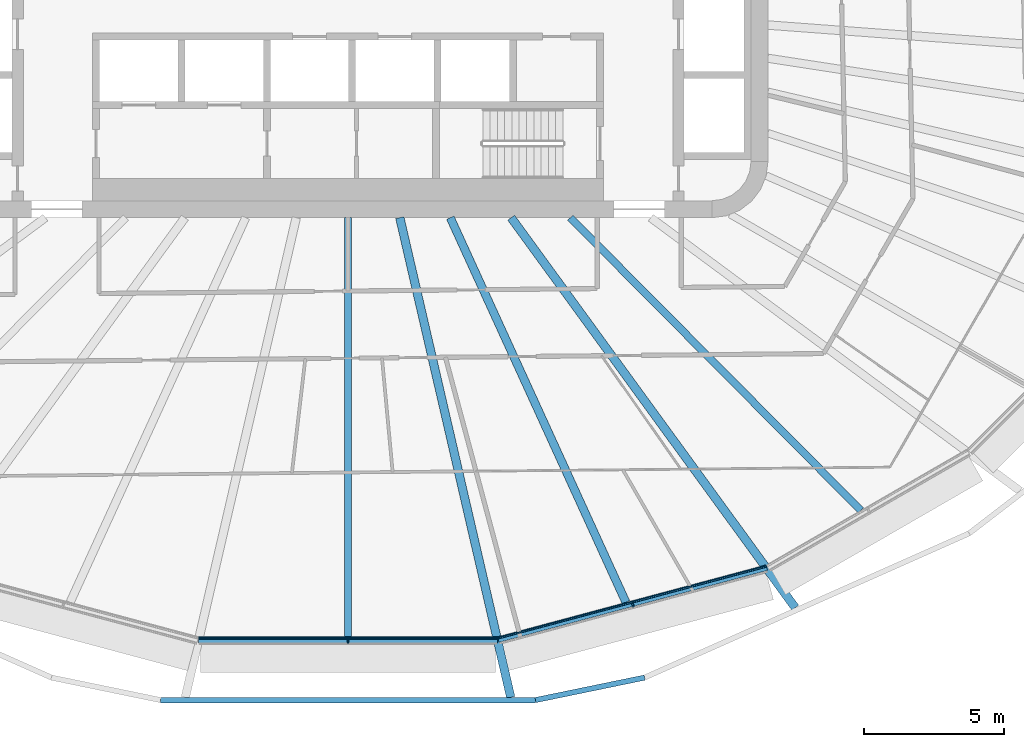
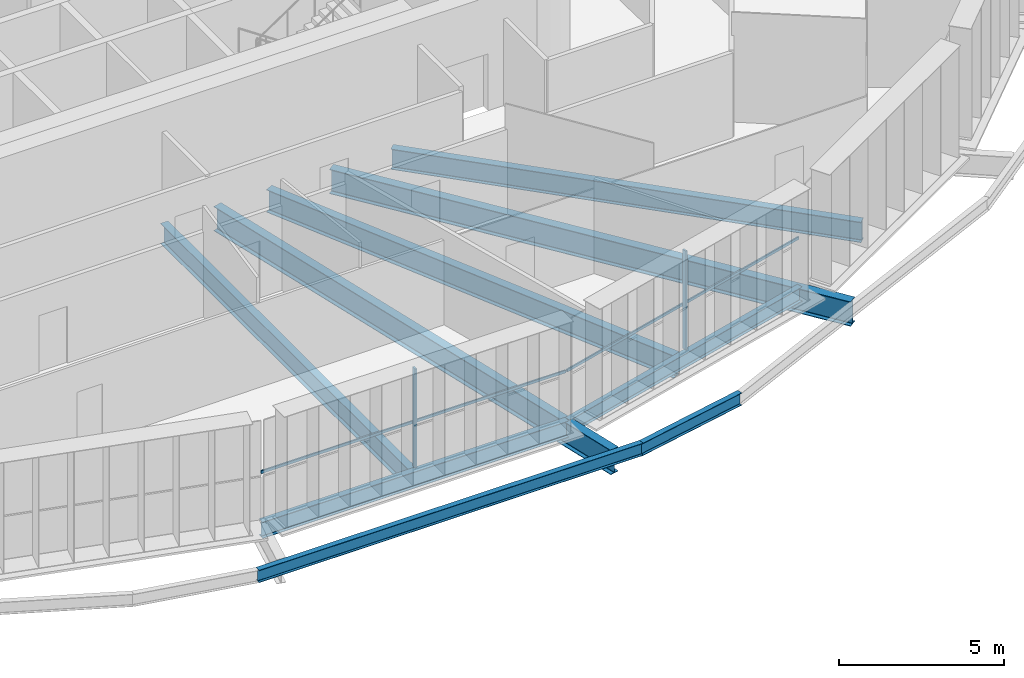
# One storey, part 4 of 24: 9 beams, 4 members, 2 elements without a shape of their own.
"""IFC4 building model written with IfcOpenShell, lengths in metres."""

from ifc_helpers import new_model, si_unit, direction, frame, origin, origin_2d, place, context, subcontext, project, spatial, rectangle, i_section, extrude, material, layer, layer_set, material_profile, profile_set, type_object, element, aggregate, save


model = new_model("IFC4")

# Units and contexts
model_context = context("Model", 3, precision=1e-05, world=origin(), true_north=direction((0.0, 1.0)))
body_context = subcontext(model_context, "Body", "Model", "MODEL_VIEW")
ifc_project = project(units=[si_unit("LENGTHUNIT", "METRE"), si_unit("AREAUNIT", "SQUARE_METRE"), si_unit("VOLUMEUNIT", "CUBIC_METRE"), si_unit("PLANEANGLEUNIT", "RADIAN"), si_unit("MASSUNIT", "GRAM", prefix="KILO")], contexts=[model_context])

# Site, building, storey
site_placement = place(None, origin())
site = spatial("IfcSite", under=ifc_project, at=site_placement, CompositionType="ELEMENT")
building_placement = place(site_placement, origin())
building = spatial("IfcBuilding", under=site, at=building_placement, Name="Sahrelin Media Tower", CompositionType="ELEMENT")
storey_placement = place(building_placement, frame((0.0, 0.0, 67.199951171875)))
storey = spatial("IfcBuildingStorey", under=building, at=storey_placement, Name="L11", CompositionType="ELEMENT", Elevation=67.199951171875)

# Beams
ifc_material_1 = material(Name="Steel S355", Category="steel")
ifc_material_profile_1 = material_profile(ifc_material_1, i_section(OverallWidth=0.208740234375, OverallDepth=0.5283203125, WebThickness=0.009521484375, FlangeThickness=0.01318359375, FilletRadius=0.0126953125, at=origin_2d()), Name="UB 533x210x82")
ifc_profile_set_1 = profile_set([ifc_material_profile_1], Name="Steel S355")
beam_type_1 = type_object("IfcBeamType", Name="Edge beam EB6", PredefinedType="BEAM", material=ifc_profile_set_1)
beam_1_placement = place(storey_placement, frame((14.958740234375, -20.498779296875, -0.4140625), z_axis=(-0.965929509631, -0.25880529829, 0.0), x_axis=(0.25880529829, -0.965929509631, 0.0)))
element("IfcBeam", 1, at=beam_1_placement, inside=storey, type_object=beam_type_1, Name="Edge beam L11-06", PredefinedType="BEAM", context=body_context, shape_type="SweptSolid", body=[
    extrude(i_section(OverallWidth=0.208740234375, OverallDepth=0.5283203125, WebThickness=0.009521484375, FlangeThickness=0.01318359375, FilletRadius=0.0126953125, at=origin_2d()), origin(), (0.0, 0.0, 1.0), 9.932373046875),
])
ifc_material_profile_2 = material_profile(ifc_material_1, i_section(OverallWidth=0.2275390625, OverallDepth=0.6025390625, WebThickness=0.010498046875, FlangeThickness=0.014892578125, FilletRadius=0.0126953125, at=origin_2d()), Name="UB 610x229x101")
ifc_profile_set_2 = profile_set([ifc_material_profile_2], Name="Steel S355")
beam_type_2 = type_object("IfcBeamType", Name="Edge beam EB7", PredefinedType="BEAM", material=ifc_profile_set_2)
beam_2_placement = place(storey_placement, frame((5.336181640625, -23.0732421875, -0.451171875), z_axis=(-1.0, 0.0, 0.0), x_axis=(0.0, -1.0, 0.0)))
element("IfcBeam", 2, at=beam_2_placement, inside=storey, type_object=beam_type_2, Name="Edge beam L11-07", PredefinedType="BEAM", context=body_context, shape_type="SweptSolid", body=[
    extrude(i_section(OverallWidth=0.2275390625, OverallDepth=0.6025390625, WebThickness=0.010498046875, FlangeThickness=0.014892578125, FilletRadius=0.0126953125, at=origin_2d()), origin(), (0.0, 0.0, 1.0), 10.67236328125),
])

# Curtain wall, member
ifc_material_2 = material(Name="Champagne anodised aluminium 6063-T6", Category="aluminium")
ifc_layer = layer(ifc_material_2, 0.14990234375)
ifc_layer_set = layer_set([ifc_layer], Name="Tower ribbon curtain wall")
curtain_wall_type = type_object("IfcCurtainWallType", Name="Tower ribbon curtain wall", PredefinedType="NOTDEFINED", material=ifc_layer_set)
curtain_wall_1_placement = place(storey_placement, frame((0.0, -23.22314453125, 0.0), z_axis=(0.0, 0.0, 1.0), x_axis=(1.0, 0.0, 0.0)))
curtain_wall_1 = element("IfcCurtainWall", 3, at=curtain_wall_1_placement, inside=storey, type_object=curtain_wall_type, Name="L11:CW:L11-18", PredefinedType="NOTDEFINED")
ifc_material_profile_3 = material_profile(ifc_material_2, rectangle(XDim=0.06005859375, YDim=0.14990234375, at=origin_2d()), Name="Mullion 60x150")
ifc_profile_set_3 = profile_set([ifc_material_profile_3], Name="Champagne anodised aluminium 6063-T6")
member_type_1 = type_object("IfcMemberType", Name="Mullion 60x150 CW1", PredefinedType="MULLION", material=ifc_profile_set_3)
member_1_placement = place(storey_placement, frame((0.0, -23.128173828125, 0.0), z_axis=(0.0, 0.0, 1.0), x_axis=(1.0, 0.0, 0.0)))
member_1 = element("IfcMember", 4, at=member_1_placement, type_object=member_type_1, Name="L11:CWM:L11-18", PredefinedType="MULLION", context=body_context, shape_type="SweptSolid", body=[
    extrude(rectangle(XDim=0.06005859375, YDim=0.14990234375, at=origin_2d()), origin(), (0.0, 0.0, 1.0), 3.648681640625),
])

curtain_wall_2_placement = place(storey_placement, frame((10.200439453125, -21.928955078125, 0.0), z_axis=(0.0, 0.0, 1.0), x_axis=(1.0, 0.0, 0.0)))
curtain_wall_2 = element("IfcCurtainWall", 5, at=curtain_wall_2_placement, inside=storey, type_object=curtain_wall_type, Name="L11:CW:L11-19", PredefinedType="NOTDEFINED")
member_2_placement = place(storey_placement, frame((10.17578125, -21.837158203125, 0.0), z_axis=(0.0, 0.0, 1.0), x_axis=(0.965926729732, 0.258815673384, 0.0)))
member_2 = element("IfcMember", 6, at=member_2_placement, type_object=member_type_1, Name="L11:CWM:L11-19", PredefinedType="MULLION", context=body_context, shape_type="SweptSolid", body=[
    extrude(rectangle(XDim=0.06005859375, YDim=0.14990234375, at=origin_2d()), origin(), (0.0, 0.0, 1.0), 3.648681640625),
])

# Beams
ifc_material_profile_4 = material_profile(ifc_material_1, i_section(OverallWidth=0.30322265625, OverallDepth=0.903076171875, WebThickness=0.01513671875, FlangeThickness=0.020263671875, FilletRadius=0.01904296875, at=origin_2d()), Name="UB 914x305x201")
ifc_profile_set_4 = profile_set([ifc_material_profile_4], Name="Steel S355")
beam_type_3 = type_object("IfcBeamType", Name="Radial primary beam PB11", PredefinedType="BEAM", material=ifc_profile_set_4)
beam_3_placement = place(storey_placement, frame((1.85009765625, -8.0, -0.6015625), z_axis=(0.22529943157, -0.974289569961, 0.0), x_axis=(0.974289569961, 0.22529943157, 0.0)))
element("IfcBeam", 7, at=beam_3_placement, inside=storey, type_object=beam_type_3, Name="Radial beam L11-19", PredefinedType="BEAM", context=body_context, shape_type="SweptSolid", body=[
    extrude(i_section(OverallWidth=0.30322265625, OverallDepth=0.903076171875, WebThickness=0.01513671875, FlangeThickness=0.020263671875, FilletRadius=0.01904296875, at=origin_2d()), origin(), (0.0, 0.0, 1.0), 17.58935546875),
])
beam_4_placement = place(storey_placement, frame((5.827392578125, -8.0, -0.6015625), z_axis=(0.588761918739, -0.808306503155, 0.0), x_axis=(0.808306503155, 0.588761918739, 0.0)))
element("IfcBeam", 8, at=beam_4_placement, inside=storey, type_object=beam_type_3, Name="Radial beam L11-20", PredefinedType="BEAM", context=body_context, shape_type="SweptSolid", body=[
    extrude(i_section(OverallWidth=0.30322265625, OverallDepth=0.903076171875, WebThickness=0.01513671875, FlangeThickness=0.020263671875, FilletRadius=0.01904296875, at=origin_2d()), origin(), (0.0, 0.0, 1.0), 17.236572265625),
])
ifc_material_profile_5 = material_profile(ifc_material_1, i_section(OverallWidth=0.291748046875, OverallDepth=0.8349609375, WebThickness=0.013916015625, FlangeThickness=0.018798828125, FilletRadius=0.017822265625, at=origin_2d()), Name="UB 838x292x176")
ifc_profile_set_5 = profile_set([ifc_material_profile_5], Name="Steel S355")
beam_type_4 = type_object("IfcBeamType", Name="Radial secondary beam SB10", PredefinedType="BEAM", material=ifc_profile_set_5)
beam_5_placement = place(storey_placement, frame((3.653564453125, -8.0, -0.5673828125), z_axis=(0.415408664059, -0.909634894793, 0.0), x_axis=(0.909634894793, 0.415408664059, 0.0)))
element("IfcBeam", 9, at=beam_5_placement, inside=storey, type_object=beam_type_4, Name="Secondary beam L11-19", PredefinedType="BEAM", context=body_context, shape_type="SweptSolid", body=[
    extrude(i_section(OverallWidth=0.291748046875, OverallDepth=0.8349609375, WebThickness=0.013916015625, FlangeThickness=0.018798828125, FilletRadius=0.017822265625, at=origin_2d()), origin(), (0.0, 0.0, 1.0), 15.103515625),
])
ifc_material_profile_6 = material_profile(ifc_material_1, i_section(OverallWidth=0.26513671875, OverallDepth=0.75390625, WebThickness=0.0126953125, FlangeThickness=0.017578125, FilletRadius=0.0166015625, at=origin_2d()), Name="UB 762x267x147")
ifc_profile_set_6 = profile_set([ifc_material_profile_6], Name="Steel S355")
beam_type_5 = type_object("IfcBeamType", Name="Radial secondary beam SB9", PredefinedType="BEAM", material=ifc_profile_set_6)
beam_6_placement = place(storey_placement, frame((0.0, -8.0, -0.52685546875), z_axis=(0.0, -1.0, 0.0), x_axis=(1.0, 0.0, 0.0)))
element("IfcBeam", 10, at=beam_6_placement, inside=storey, type_object=beam_type_5, Name="Secondary beam L11-18", PredefinedType="BEAM", context=body_context, shape_type="SweptSolid", body=[
    extrude(i_section(OverallWidth=0.26513671875, OverallDepth=0.75390625, WebThickness=0.0126953125, FlangeThickness=0.017578125, FilletRadius=0.0166015625, at=origin_2d()), origin(), (0.0, 0.0, 1.0), 14.95947265625),
])
beam_7_placement = place(storey_placement, frame((7.9404296875, -8.0, -0.52685546875), z_axis=(0.704458173544, -0.709745504901, 0.0), x_axis=(0.709745504901, 0.704458173544, 0.0)))
element("IfcBeam", 11, at=beam_7_placement, inside=storey, type_object=beam_type_5, Name="Secondary beam L11-20", PredefinedType="BEAM", context=body_context, shape_type="SweptSolid", body=[
    extrude(i_section(OverallWidth=0.26513671875, OverallDepth=0.75390625, WebThickness=0.0126953125, FlangeThickness=0.017578125, FilletRadius=0.0166015625, at=origin_2d()), origin(), (0.0, 0.0, 1.0), 14.729736328125),
])
ifc_material_profile_7 = material_profile(ifc_material_1, i_section(OverallWidth=0.1904296875, OverallDepth=0.45703125, WebThickness=0.009033203125, FlangeThickness=0.014404296875, FilletRadius=0.01025390625, at=origin_2d()), Name="UB 457x191x74")
ifc_profile_set_7 = profile_set([ifc_material_profile_7], Name="Steel S355")
beam_type_6 = type_object("IfcBeamType", Name="Tie chord TC5", PredefinedType="BEAM", material=ifc_profile_set_7)
beam_8_placement = place(storey_placement, frame((-6.6962890625, -25.232421875, -0.37841796875), z_axis=(1.0, 0.0, 0.0), x_axis=(0.0, 1.0, 0.0)))
element("IfcBeam", 12, at=beam_8_placement, inside=storey, type_object=beam_type_6, Name="Tie chord L11-18", PredefinedType="BEAM", context=body_context, shape_type="SweptSolid", body=[
    extrude(i_section(OverallWidth=0.1904296875, OverallDepth=0.45703125, WebThickness=0.009033203125, FlangeThickness=0.014404296875, FilletRadius=0.01025390625, at=origin_2d()), origin(), (0.0, 0.0, 1.0), 13.392578125),
])
beam_9_placement = place(storey_placement, frame((6.6962890625, -25.232421875, -0.37841796875), z_axis=(0.979384954369, 0.202002750365, 0.0), x_axis=(-0.202002750365, 0.979384954369, 0.0)))
element("IfcBeam", 13, at=beam_9_placement, inside=storey, type_object=beam_type_6, Name="Tie chord L11-19", PredefinedType="BEAM", context=body_context, shape_type="SweptSolid", body=[
    extrude(i_section(OverallWidth=0.1904296875, OverallDepth=0.45703125, WebThickness=0.009033203125, FlangeThickness=0.014404296875, FilletRadius=0.01025390625, at=origin_2d()), origin(), (0.0, 0.0, 1.0), 3.9775390625),
])

# Member
ifc_material_profile_8 = material_profile(ifc_material_2, rectangle(XDim=0.050048828125, YDim=0.10009765625, at=origin_2d()), Name="Transom 50x100")
ifc_profile_set_8 = profile_set([ifc_material_profile_8], Name="Champagne anodised aluminium 6063-T6")
member_type_2 = type_object("IfcMemberType", Name="Transom 50x100 CW1", PredefinedType="USERDEFINED", material=ifc_profile_set_8)
member_3_placement = place(storey_placement, frame((-5.3203125, -23.0283203125, 1.60009765625), z_axis=(1.0, 0.0, 0.0), x_axis=(0.0, 1.0, 0.0)))
member_3 = element("IfcMember", 14, at=member_3_placement, type_object=member_type_2, Name="L11:CWT:L11-18", ObjectType="TRANSOM", PredefinedType="USERDEFINED", context=body_context, shape_type="SweptSolid", body=[
    extrude(rectangle(XDim=0.050048828125, YDim=0.10009765625, at=origin_2d()), origin(), (0.0, 0.0, 1.0), 10.640625),
])

aggregate(curtain_wall_1, [member_1, member_3])

member_4_placement = place(storey_placement, frame((5.3681640625, -23.02197265625, 1.60009765625), z_axis=(0.965928130018, 0.258810447315, 0.0), x_axis=(-0.258810447315, 0.965928130018, 0.0)))
member_4 = element("IfcMember", 15, at=member_4_placement, type_object=member_type_2, Name="L11:CWT:L11-19", ObjectType="TRANSOM", PredefinedType="USERDEFINED", context=body_context, shape_type="SweptSolid", body=[
    extrude(rectangle(XDim=0.050048828125, YDim=0.10009765625, at=origin_2d()), origin(), (0.0, 0.0, 1.0), 9.901123046875),
])

aggregate(curtain_wall_2, [member_2, member_4])

save(model, "model.ifc")
